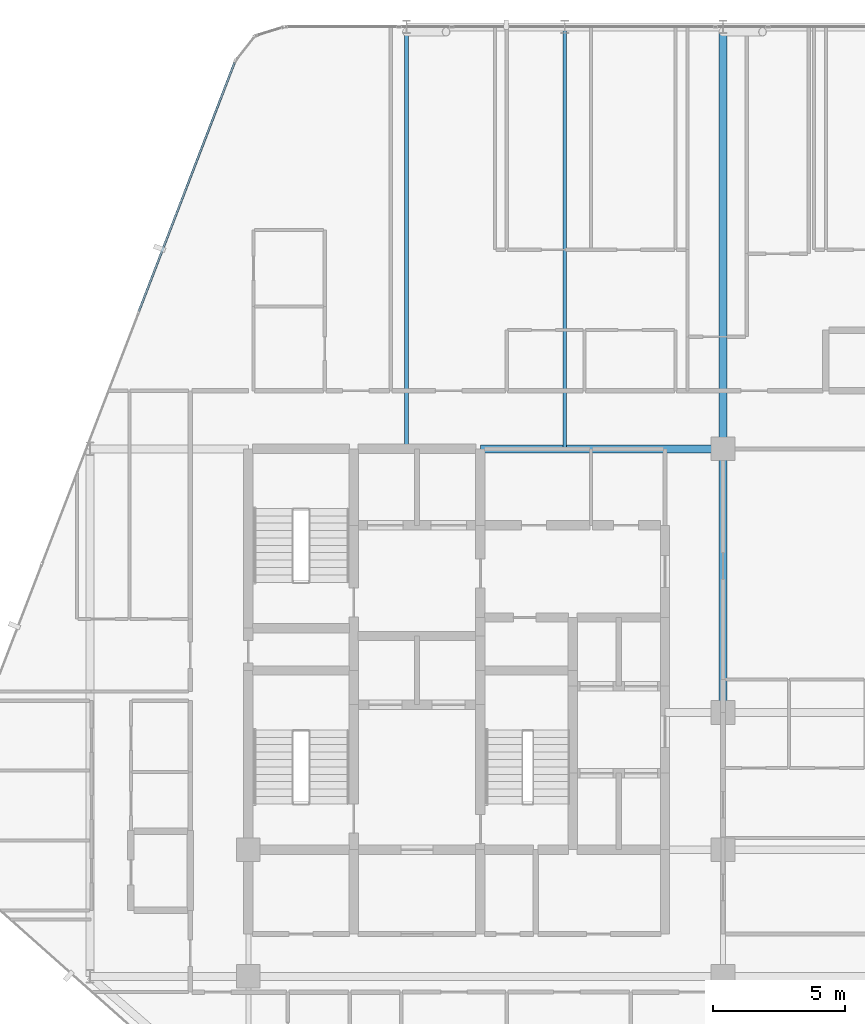
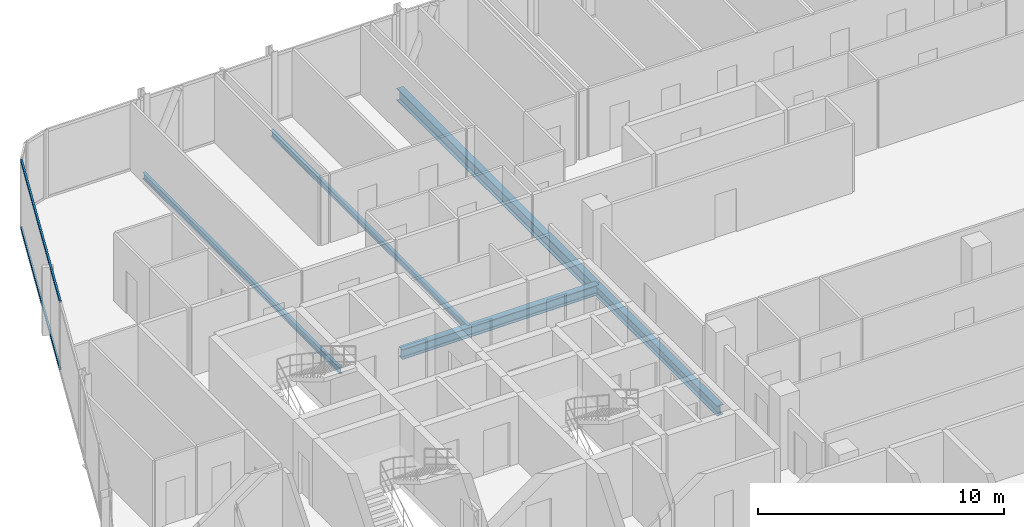
# One storey, part 16 of 31: 5 beams, 2 members, 1 element without a shape of its own.
"""IFC4 building model written with IfcOpenShell, lengths in metres."""

import ifcopenshell
import ifcopenshell.guid

model = None  # the IFC model being written
_history = None  # IfcOwnerHistory: only IFC2X3 demands one
_inside = {}  # id of a spatial element -> (the spatial element, [elements in it])
_under = {}  # id of a project, library or spatial element -> (it, [spatial elements below it])
_declared = {}  # id of a project -> (the project, [libraries it declares])
_typed = {}  # id of a type object -> (the type object, [elements of that type])
_made_of = {}  # id of a material, layer set ... -> (it, [elements and type objects made of it])


def new_model(schema):
    """Start an empty IFC model of exactly this schema.

    Asked for "IFC4X3", IfcOpenShell would pick the latest addendum, in which some entities
    have other attributes; the version numbers below select the first issue.
    IFC2X3 requires an IfcOwnerHistory on every rooted entity: one is made here for all.
    """
    global model, _history
    if schema == "IFC4X3":
        model = ifcopenshell.file(schema_version=(4, 3, 0, 0))
    else:
        model = ifcopenshell.file(schema=schema)
    _inside.clear()
    _under.clear()
    _declared.clear()
    _typed.clear()
    _made_of.clear()
    _history = None
    if model.schema == "IFC2X3":
        org = make("IfcOrganization", Name="unknown")
        user = make(
            "IfcPersonAndOrganization",
            ThePerson=make("IfcPerson", FamilyName="unknown"),
            TheOrganization=org,
        )
        app = make(
            "IfcApplication",
            ApplicationDeveloper=org,
            Version="unknown",
            ApplicationFullName="unknown",
            ApplicationIdentifier="unknown",
        )
        _history = make(
            "IfcOwnerHistory",
            OwningUser=user,
            OwningApplication=app,
            ChangeAction="ADDED",
            CreationDate=0,
        )
    return model


def make(cls, **values):
    """One entity of the class cls with the attributes given. An attribute that is None is left unset."""
    return model.create_entity(
        cls, **{name: value for name, value in values.items() if value is not None}
    )


def rooted(cls, **values):
    """An entity with a GlobalId (a new one), such as an element, a storey or a relation."""
    return make(cls, GlobalId=ifcopenshell.guid.new(), OwnerHistory=_history, **values)


def si_unit(unit_type, name, prefix=None):
    """IfcSIUnit, for example si_unit("LENGTHUNIT", "METRE", prefix="MILLI")."""
    return make("IfcSIUnit", UnitType=unit_type, Prefix=prefix, Name=name)


def assignment(units):
    """IfcUnitAssignment: the units of a project."""
    return None if units is None else make("IfcUnitAssignment", Units=units)


def point(xyz):
    """IfcCartesianPoint."""
    return None if xyz is None else make("IfcCartesianPoint", Coordinates=xyz)


def direction(xyz):
    """IfcDirection."""
    return None if xyz is None else make("IfcDirection", DirectionRatios=xyz)


def frame(location, z_axis=None, x_axis=None):
    """IfcAxis2Placement3D, a coordinate frame: its origin and axes. An axis left out is left unset."""
    return make(
        "IfcAxis2Placement3D",
        Location=point(location),
        Axis=direction(z_axis),
        RefDirection=direction(x_axis),
    )


def frame_2d(location, x_axis=None):
    """IfcAxis2Placement2D, a coordinate frame in the plane: its origin and x axis."""
    return make(
        "IfcAxis2Placement2D", Location=point(location), RefDirection=direction(x_axis)
    )


def origin():
    """The frame at (0, 0, 0) with its axes left unset."""
    return frame((0.0, 0.0, 0.0))


def origin_2d():
    """The frame at (0, 0) in the plane with its x axis left unset."""
    return frame_2d((0.0, 0.0))


def place(relative_to, where):
    """IfcLocalPlacement: puts the frame where relative to a parent placement (None: the world)."""
    return make(
        "IfcLocalPlacement", PlacementRelTo=relative_to, RelativePlacement=where
    )


def context(
    kind, dimensions, precision=None, world=None, true_north=None, identifier=None
):
    """IfcGeometricRepresentationContext, for example the 3D "Model" context."""
    return make(
        "IfcGeometricRepresentationContext",
        ContextIdentifier=identifier,
        ContextType=kind,
        CoordinateSpaceDimension=dimensions,
        Precision=precision,
        WorldCoordinateSystem=world,
        TrueNorth=true_north,
    )


def subcontext(parent, identifier, kind, view, scale=None):
    """IfcGeometricRepresentationSubContext, for example "Body" below "Model"."""
    return make(
        "IfcGeometricRepresentationSubContext",
        ContextIdentifier=identifier,
        ContextType=kind,
        ParentContext=parent,
        TargetScale=scale,
        TargetView=view,
    )


def project(units=None, contexts=None):
    """IfcProject with its units and contexts."""
    return rooted(
        "IfcProject",
        Name="project",
        RepresentationContexts=contexts,
        UnitsInContext=assignment(units),
    )


def spatial(cls, under=None, at=None, **own):
    """A site, building, storey or space (cls), placed at a placement, below another one or the project."""
    s = rooted(cls, ObjectPlacement=at, **own)
    if under is not None:
        _under.setdefault(under.id(), (under, []))[1].append(s)
    return s


def profile(cls, at=None, kind="AREA", **sizes):
    """A parametric profile (cls). Its sizes go by their IFC names, for example OverallWidth=200.0."""
    return make(cls, ProfileType=kind, Position=at, **sizes)


def hollow_rectangle(**sizes):
    """IfcRectangleHollowProfileDef."""
    return profile("IfcRectangleHollowProfileDef", **sizes)


def i_section(**sizes):
    """IfcIShapeProfileDef."""
    return profile("IfcIShapeProfileDef", **sizes)


def extrude(swept, where, along, depth):
    """IfcExtrudedAreaSolid: the profile swept, set in the frame where, extruded along a direction by depth."""
    return make(
        "IfcExtrudedAreaSolid",
        SweptArea=swept,
        Position=where,
        ExtrudedDirection=direction(along),
        Depth=depth,
    )


def shape(context_of_items, identifier, shape_type, items):
    """IfcShapeRepresentation: the items that make up one representation, for example the "Body"."""
    return make(
        "IfcShapeRepresentation",
        ContextOfItems=context_of_items,
        RepresentationIdentifier=identifier,
        RepresentationType=shape_type,
        Items=items,
    )


def material(Name=None, Category=None):
    """IfcMaterial."""
    return make("IfcMaterial", Name=Name, Category=Category)


def layer(
    of_material, thickness, ventilated=None, Name=None, Category=None, Priority=None
):
    """IfcMaterialLayer: one layer of a wall or slab, of a material (None: an air gap)."""
    return make(
        "IfcMaterialLayer",
        Material=of_material,
        LayerThickness=thickness,
        IsVentilated=ventilated,
        Name=Name,
        Category=Category,
        Priority=Priority,
    )


def layer_set(layers, Name=None):
    """IfcMaterialLayerSet."""
    return make("IfcMaterialLayerSet", MaterialLayers=layers, LayerSetName=Name)


def material_profile(
    of_material, cross_section, Name=None, Category=None, Priority=None
):
    """IfcMaterialProfile: a cross section and its material."""
    return make(
        "IfcMaterialProfile",
        Name=Name,
        Material=of_material,
        Profile=cross_section,
        Priority=Priority,
        Category=Category,
    )


def profile_set(profiles, Name=None, composite=None):
    """IfcMaterialProfileSet."""
    return make(
        "IfcMaterialProfileSet",
        Name=Name,
        MaterialProfiles=profiles,
        CompositeProfile=composite,
    )


def made_of(thing, what):
    """Note that an element or type object is made of a material, layer set ...; save() writes the relation."""
    if what is not None:
        _made_of.setdefault(what.id(), (what, []))[1].append(thing)
    return thing


def type_object(cls, material=None, **own):
    """A type object (cls), such as IfcWallType, which elements share."""
    return made_of(rooted(cls, **own), material)


def element(
    cls,
    number,
    at=None,
    inside=None,
    cuts=None,
    type_object=None,
    material=None,
    context=None,
    identifier="Body",
    shape_type=None,
    held_by="IfcProductDefinitionShape",
    body=None,
    shapes=None,
    **own,
):
    """One element of the class cls, such as IfcWall. Its Tag is "e" and its number.

    at: its placement. inside: the storey or other place that contains it. cuts: it is an
    opening in that element (IfcRelVoidsElement). A single representation is given by context,
    identifier, shape_type and body (its items); several are given by shapes. held_by: the class
    of the entity that holds the representations. save() writes the other relations.
    """
    e = rooted(cls, Tag="e%d" % number, ObjectPlacement=at, **own)
    if body is not None:
        shapes = [shape(context, identifier, shape_type, body)]
    if shapes is not None:
        e.Representation = make(held_by, Representations=shapes)
    if inside is not None:
        _inside.setdefault(inside.id(), (inside, []))[1].append(e)
    if cuts is not None:
        rooted(
            "IfcRelVoidsElement", RelatingBuildingElement=cuts, RelatedOpeningElement=e
        )
    if type_object is not None:
        _typed.setdefault(type_object.id(), (type_object, []))[1].append(e)
    return made_of(e, material)


def aggregate(whole, parts):
    """IfcRelAggregates: a whole, such as a stair, and the parts it consists of."""
    return rooted("IfcRelAggregates", RelatingObject=whole, RelatedObjects=parts)


def save(model, path):
    """Write the relations noted so far, then the file.

    IfcRelAggregates (storeys below a building ...), IfcRelContainedInSpatialStructure (elements
    in a storey), IfcRelDefinesByType, IfcRelAssociatesMaterial and IfcRelDeclares: one each for
    every whole, place, type object, material and project.
    """
    for whole, parts in _under.values():
        aggregate(whole, parts)
    for where, things in _inside.values():
        rooted(
            "IfcRelContainedInSpatialStructure",
            RelatedElements=things,
            RelatingStructure=where,
        )
    for kind, things in _typed.values():
        rooted("IfcRelDefinesByType", RelatedObjects=things, RelatingType=kind)
    for what, things in _made_of.values():
        rooted("IfcRelAssociatesMaterial", RelatedObjects=things, RelatingMaterial=what)
    for by, libraries in _declared.values():
        rooted("IfcRelDeclares", RelatingContext=by, RelatedDefinitions=libraries)
    model.write(path)


model = new_model("IFC4")

# Units and contexts
model_context = context("Model", 3, precision=1e-05, world=origin(), true_north=direction((0.0, 1.0)))
body_context = subcontext(model_context, "Body", "Model", "MODEL_VIEW")
ifc_project = project(units=[si_unit("LENGTHUNIT", "METRE"), si_unit("AREAUNIT", "SQUARE_METRE"), si_unit("VOLUMEUNIT", "CUBIC_METRE"), si_unit("PLANEANGLEUNIT", "RADIAN"), si_unit("MASSUNIT", "GRAM", prefix="KILO")], contexts=[model_context])

# Site, building, storey
site_placement = place(None, origin())
site = spatial("IfcSite", under=ifc_project, at=site_placement, CompositionType="ELEMENT")
building_placement = place(site_placement, origin())
building = spatial("IfcBuilding", under=site, at=building_placement, Name="Keshet Zoharim Tower", CompositionType="ELEMENT")
storey_placement = place(building_placement, frame((0.0, 0.0, 140.89990234375)))
storey = spatial("IfcBuildingStorey", under=building, at=storey_placement, Name="L34", CompositionType="ELEMENT", Elevation=140.89990234375)

# Beams
ifc_material_1 = material(Name="Steel S355", Category="steel")
ifc_material_profile_1 = material_profile(ifc_material_1, i_section(OverallWidth=0.14990234375, OverallDepth=0.300048828125, WebThickness=0.007080078125, FlangeThickness=0.0107421875, FilletRadius=0.014892578125, at=origin_2d()), Name="IPE300")
ifc_profile_set_1 = profile_set([ifc_material_profile_1], Name="Steel S355")
beam_type_1 = type_object("IfcBeamType", Name="BM-JST-IP300", PredefinedType="JOIST", material=ifc_profile_set_1)
for number, where, z_axis, x_axis, name in (
    (1, (21.0, 37.89990234375, -0.46484375), (0.0, 1.0, 0.0), (-1.0, 0.0, 0.0), "L34 Secondary Floor Joist J-001"),
    (2, (27.0, 37.89990234375, -0.46484375), (0.0, 1.0, 0.0), (-1.0, 0.0, 0.0), "L34 Secondary Floor Joist J-002"),
):
    element("IfcBeam", number, at=place(storey_placement, frame(where, z_axis=z_axis, x_axis=x_axis)), inside=storey, type_object=beam_type_1, Name=name, PredefinedType="JOIST", context=body_context, shape_type="SweptSolid", body=[
        extrude(i_section(OverallWidth=0.14990234375, OverallDepth=0.300048828125, WebThickness=0.007080078125, FlangeThickness=0.0107421875, FilletRadius=0.014892578125, at=origin_2d()), origin(), (0.0, 0.0, 1.0), 16.0),
    ])
ifc_material_profile_2 = material_profile(ifc_material_1, i_section(OverallWidth=0.300048828125, OverallDepth=0.60009765625, WebThickness=0.015380859375, FlangeThickness=0.030029296875, FilletRadius=0.027099609375, at=origin_2d()), Name="HEB600")
ifc_profile_set_2 = profile_set([ifc_material_profile_2], Name="Steel S355")
beam_type_2 = type_object("IfcBeamType", Name="BM-LNG-HB600", PredefinedType="BEAM", material=ifc_profile_set_2)
beam_1_placement = place(storey_placement, frame((33.0, 37.89990234375, -0.614990234375), z_axis=(0.0, 1.0, 0.0), x_axis=(-1.0, 0.0, 0.0)))
element("IfcBeam", 3, at=beam_1_placement, inside=storey, type_object=beam_type_2, Name="L34 Primary Girder Y-011", PredefinedType="BEAM", context=body_context, shape_type="SweptSolid", body=[
    extrude(i_section(OverallWidth=0.300048828125, OverallDepth=0.60009765625, WebThickness=0.015380859375, FlangeThickness=0.030029296875, FilletRadius=0.027099609375, at=origin_2d()), origin(), (0.0, 0.0, 1.0), 16.0),
])
ifc_material_profile_3 = material_profile(ifc_material_1, i_section(OverallWidth=0.300048828125, OverallDepth=0.5, WebThickness=0.014404296875, FlangeThickness=0.028076171875, FilletRadius=0.027099609375, at=origin_2d()), Name="HEB500")
ifc_profile_set_3 = profile_set([ifc_material_profile_3], Name="Steel S355")
beam_type_3 = type_object("IfcBeamType", Name="BM-MED-HB500", PredefinedType="BEAM", material=ifc_profile_set_3)
beam_2_placement = place(storey_placement, frame((23.800048828125, 37.89990234375, -0.56494140625), z_axis=(1.0, 0.0, 0.0), x_axis=(0.0, 1.0, 0.0)))
element("IfcBeam", 4, at=beam_2_placement, inside=storey, type_object=beam_type_3, Name="L34 Primary Girder X-019", PredefinedType="BEAM", context=body_context, shape_type="SweptSolid", body=[
    extrude(i_section(OverallWidth=0.300048828125, OverallDepth=0.5, WebThickness=0.014404296875, FlangeThickness=0.028076171875, FilletRadius=0.027099609375, at=origin_2d()), origin(), (0.0, 0.0, 1.0), 9.199951171875),
])
beam_3_placement = place(storey_placement, frame((33.0, 27.89990234375, -0.56494140625), z_axis=(0.0, 1.0, 0.0), x_axis=(-1.0, 0.0, 0.0)))
element("IfcBeam", 5, at=beam_3_placement, inside=storey, type_object=beam_type_3, Name="L34 Primary Girder Y-010", PredefinedType="BEAM", context=body_context, shape_type="SweptSolid", body=[
    extrude(i_section(OverallWidth=0.300048828125, OverallDepth=0.5, WebThickness=0.014404296875, FlangeThickness=0.028076171875, FilletRadius=0.027099609375, at=origin_2d()), origin(), (0.0, 0.0, 1.0), 10.0),
])

# Curtain wall, members
ifc_material_2 = material(Name="Aluminium 6063-T6", Category="aluminium")
ifc_layer = layer(ifc_material_2, 0.159912109375)
ifc_layer_set = layer_set([ifc_layer], Name="Aluminium 6063-T6")
curtain_wall_type = type_object("IfcCurtainWallType", Name="CW-SYS-03", PredefinedType="NOTDEFINED", material=ifc_layer_set)
curtain_wall_placement = place(storey_placement, origin())
curtain_wall = element("IfcCurtainWall", 6, at=curtain_wall_placement, inside=storey, type_object=curtain_wall_type, Name="L34 Unitised Curtain Wall 10", PredefinedType="NOTDEFINED")
ifc_material_profile_4 = material_profile(ifc_material_2, hollow_rectangle(XDim=0.080078125, YDim=0.139892578125, WallThickness=0.00390625, at=origin_2d()), Name="TRN-80x140")
ifc_profile_set_4 = profile_set([ifc_material_profile_4], Name="Aluminium 6063-T6")
member_type = type_object("IfcMemberType", Name="CWT-T14", PredefinedType="USERDEFINED", material=ifc_profile_set_4)
member_1_placement = place(storey_placement, frame((10.849609375, 43.10888671875, 0.03515625), z_axis=(0.358985546764, 0.933343118694, 0.0), x_axis=(-0.933343118694, 0.358985546764, 0.0)))
member_1 = element("IfcMember", 7, at=member_1_placement, type_object=member_type, Name="CW-03 transom 3.1", ObjectType="TRANSOM", PredefinedType="USERDEFINED", context=body_context, shape_type="SweptSolid", body=[
    extrude(hollow_rectangle(XDim=0.080078125, YDim=0.139892578125, WallThickness=0.00390625, at=origin_2d()), origin(), (0.0, 0.0, 1.0), 10.118408203125),
])
member_2_placement = place(storey_placement, frame((10.849609375, 43.10888671875, 3.35009765625), z_axis=(0.358985546764, 0.933343118694, 0.0), x_axis=(-0.933343118694, 0.358985546764, 0.0)))
member_2 = element("IfcMember", 8, at=member_2_placement, type_object=member_type, Name="CW-03 transom 3.2", ObjectType="TRANSOM", PredefinedType="USERDEFINED", context=body_context, shape_type="SweptSolid", body=[
    extrude(hollow_rectangle(XDim=0.080078125, YDim=0.139892578125, WallThickness=0.00390625, at=origin_2d()), origin(), (0.0, 0.0, 1.0), 10.118408203125),
])
aggregate(curtain_wall, [member_1, member_2])

save(model, "model.ifc")
